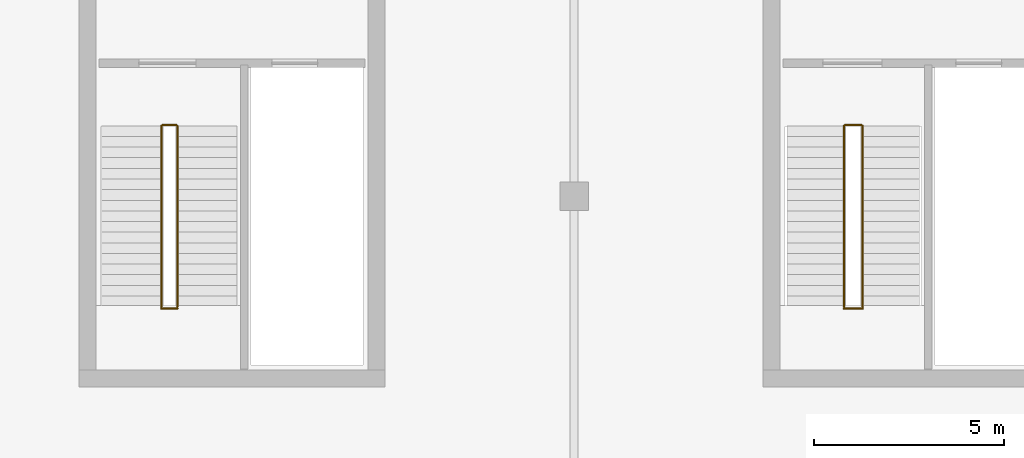
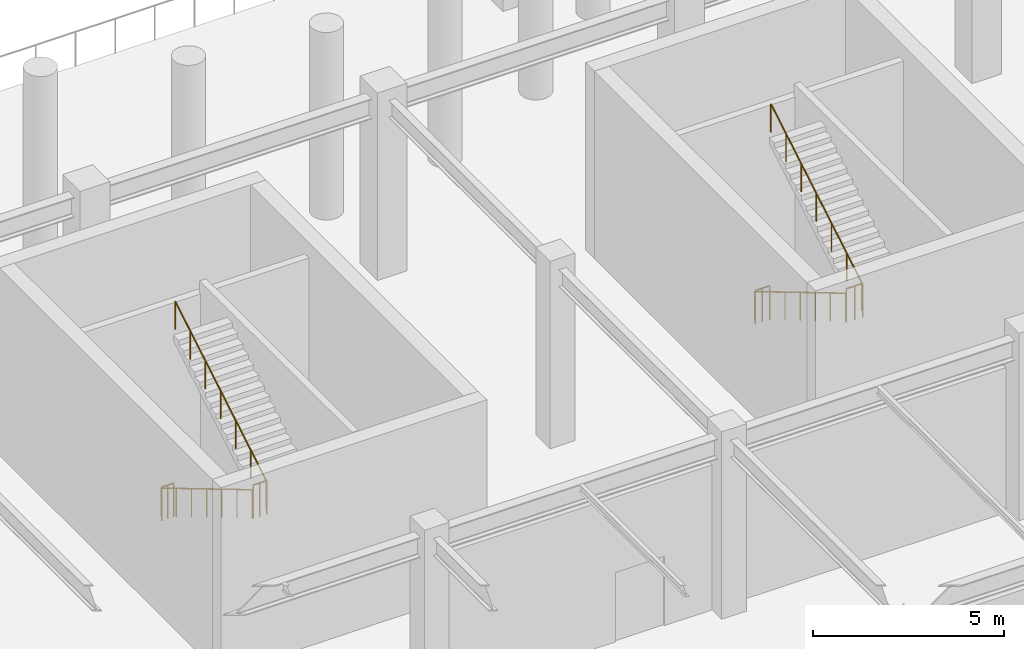
# One storey, part 203 of 223: 8 railings.
"""IFC4 building model written with IfcOpenShell, lengths in metres."""

from ifc_helpers import new_model, si_unit, direction, frame, origin, origin_2d, place, context, subcontext, project, spatial, circle, extrude, material, type_object, element, save


model = new_model("IFC4")

# Units and contexts
model_context = context("Model", 3, precision=1e-05, world=origin(), true_north=direction((0.0, 1.0)))
body_context = subcontext(model_context, "Body", "Model", "MODEL_VIEW")
ifc_project = project(units=[si_unit("LENGTHUNIT", "METRE"), si_unit("AREAUNIT", "SQUARE_METRE"), si_unit("VOLUMEUNIT", "CUBIC_METRE"), si_unit("PLANEANGLEUNIT", "RADIAN"), si_unit("MASSUNIT", "GRAM", prefix="KILO")], contexts=[model_context])

# Site, building, storey
site_placement = place(None, origin())
site = spatial("IfcSite", under=ifc_project, at=site_placement, CompositionType="ELEMENT")
building_placement = place(site_placement, origin())
building = spatial("IfcBuilding", under=site, at=building_placement, Name="Dornveld Trade and Exhibition Forum", CompositionType="ELEMENT")
storey_placement = place(building_placement, frame((0.0, 0.0, 6.0)))
storey = spatial("IfcBuildingStorey", under=building, at=storey_placement, Name="L01", CompositionType="ELEMENT", Elevation=6.0)

# Railings
ifc_material_1 = material(Name="Brushed stainless steel handrail", Category="steel")
railing_type_1 = type_object("IfcRailingType", Name="RL-HAND-920", PredefinedType="HANDRAIL", material=ifc_material_1)
railing_1_placement = place(storey_placement, frame((106.139892578125, 55.85009765625, 0.166748046875)))
element("IfcRailing", 1, at=railing_1_placement, inside=storey, type_object=railing_type_1, Name="ST-06-L01 flight 1 handrail", PredefinedType="HANDRAIL", context=body_context, shape_type="SweptSolid", body=[
    extrude(circle(Radius=0.02099609375, at=origin_2d()), frame((0.0, 0.0, 0.89892578125), z_axis=(0.0, -0.859299802514, 0.511472237174), x_axis=(1.0, 0.0, 0.0)), (0.0, 0.0, 1.0), 5.539306640625),
    extrude(circle(Radius=0.01806640625, at=origin_2d()), origin(), (0.0, 0.0, 1.0), 0.8779296875),
    extrude(circle(Radius=0.01806640625, at=origin_2d()), frame((0.0, -0.79345703125, 0.47216796875)), (0.0, 0.0, 1.0), 0.8779296875),
    extrude(circle(Radius=0.01806640625, at=origin_2d()), frame((0.0, -1.586669921875, 0.9443359375)), (0.0, 0.0, 1.0), 0.8779296875),
    extrude(circle(Radius=0.01806640625, at=origin_2d()), frame((0.0, -2.3798828125, 1.41650390625)), (0.0, 0.0, 1.0), 0.8779296875),
    extrude(circle(Radius=0.01806640625, at=origin_2d()), frame((0.0, -3.17333984375, 1.888916015625)), (0.0, 0.0, 1.0), 0.8779296875),
    extrude(circle(Radius=0.01806640625, at=origin_2d()), frame((0.0, -3.966796875, 2.361083984375)), (0.0, 0.0, 1.0), 0.8779296875),
    extrude(circle(Radius=0.01806640625, at=origin_2d()), frame((0.0, -4.760009765625, 2.833251953125)), (0.0, 0.0, 1.0), 0.8779296875),
])
railing_2_placement = place(storey_placement, frame((106.56005859375, 51.090087890625, 3.166748046875)))
element("IfcRailing", 2, at=railing_2_placement, inside=storey, type_object=railing_type_1, Name="ST-06-L01 flight 2 handrail", PredefinedType="HANDRAIL", context=body_context, shape_type="SweptSolid", body=[
    extrude(circle(Radius=0.02099609375, at=origin_2d()), frame((0.0, 0.0, 0.89892578125), z_axis=(0.0, 0.859299802514, 0.511472237174), x_axis=(-1.0, 0.0, 0.0)), (0.0, 0.0, 1.0), 5.539306640625),
    extrude(circle(Radius=0.01806640625, at=origin_2d()), origin(), (0.0, 0.0, 1.0), 0.8779296875),
    extrude(circle(Radius=0.01806640625, at=origin_2d()), frame((0.0, 0.79345703125, 0.47216796875)), (0.0, 0.0, 1.0), 0.8779296875),
    extrude(circle(Radius=0.01806640625, at=origin_2d()), frame((0.0, 1.586669921875, 0.9443359375)), (0.0, 0.0, 1.0), 0.8779296875),
    extrude(circle(Radius=0.01806640625, at=origin_2d()), frame((0.0, 2.3798828125, 1.41650390625)), (0.0, 0.0, 1.0), 0.8779296875),
    extrude(circle(Radius=0.01806640625, at=origin_2d()), frame((0.0, 3.17333984375, 1.888916015625)), (0.0, 0.0, 1.0), 0.8779296875),
    extrude(circle(Radius=0.01806640625, at=origin_2d()), frame((0.0, 3.966796875, 2.361083984375)), (0.0, 0.0, 1.0), 0.8779296875),
    extrude(circle(Radius=0.01806640625, at=origin_2d()), frame((0.0, 4.760009765625, 2.833251953125)), (0.0, 0.0, 1.0), 0.8779296875),
])
railing_3_placement = place(storey_placement, frame((124.10498046875, 55.85009765625, 0.166748046875)))
element("IfcRailing", 3, at=railing_3_placement, inside=storey, type_object=railing_type_1, Name="ST-07-L01 flight 1 handrail", PredefinedType="HANDRAIL", context=body_context, shape_type="SweptSolid", body=[
    extrude(circle(Radius=0.02099609375, at=origin_2d()), frame((0.0, 0.0, 0.89892578125), z_axis=(0.0, -0.859299802514, 0.511472237174), x_axis=(1.0, 0.0, 0.0)), (0.0, 0.0, 1.0), 5.539306640625),
    extrude(circle(Radius=0.01806640625, at=origin_2d()), origin(), (0.0, 0.0, 1.0), 0.8779296875),
    extrude(circle(Radius=0.01806640625, at=origin_2d()), frame((0.0, -0.79345703125, 0.47216796875)), (0.0, 0.0, 1.0), 0.8779296875),
    extrude(circle(Radius=0.01806640625, at=origin_2d()), frame((0.0, -1.586669921875, 0.9443359375)), (0.0, 0.0, 1.0), 0.8779296875),
    extrude(circle(Radius=0.01806640625, at=origin_2d()), frame((0.0, -2.3798828125, 1.41650390625)), (0.0, 0.0, 1.0), 0.8779296875),
    extrude(circle(Radius=0.01806640625, at=origin_2d()), frame((0.0, -3.17333984375, 1.888916015625)), (0.0, 0.0, 1.0), 0.8779296875),
    extrude(circle(Radius=0.01806640625, at=origin_2d()), frame((0.0, -3.966796875, 2.361083984375)), (0.0, 0.0, 1.0), 0.8779296875),
    extrude(circle(Radius=0.01806640625, at=origin_2d()), frame((0.0, -4.760009765625, 2.833251953125)), (0.0, 0.0, 1.0), 0.8779296875),
])
railing_4_placement = place(storey_placement, frame((124.594970703125, 51.090087890625, 3.166748046875)))
element("IfcRailing", 4, at=railing_4_placement, inside=storey, type_object=railing_type_1, Name="ST-07-L01 flight 2 handrail", PredefinedType="HANDRAIL", context=body_context, shape_type="SweptSolid", body=[
    extrude(circle(Radius=0.02099609375, at=origin_2d()), frame((0.0, 0.0, 0.89892578125), z_axis=(0.0, 0.859299802514, 0.511472237174), x_axis=(-1.0, 0.0, 0.0)), (0.0, 0.0, 1.0), 5.539306640625),
    extrude(circle(Radius=0.01806640625, at=origin_2d()), origin(), (0.0, 0.0, 1.0), 0.8779296875),
    extrude(circle(Radius=0.01806640625, at=origin_2d()), frame((0.0, 0.79345703125, 0.47216796875)), (0.0, 0.0, 1.0), 0.8779296875),
    extrude(circle(Radius=0.01806640625, at=origin_2d()), frame((0.0, 1.586669921875, 0.9443359375)), (0.0, 0.0, 1.0), 0.8779296875),
    extrude(circle(Radius=0.01806640625, at=origin_2d()), frame((0.0, 2.3798828125, 1.41650390625)), (0.0, 0.0, 1.0), 0.8779296875),
    extrude(circle(Radius=0.01806640625, at=origin_2d()), frame((0.0, 3.17333984375, 1.888916015625)), (0.0, 0.0, 1.0), 0.8779296875),
    extrude(circle(Radius=0.01806640625, at=origin_2d()), frame((0.0, 3.966796875, 2.361083984375)), (0.0, 0.0, 1.0), 0.8779296875),
    extrude(circle(Radius=0.01806640625, at=origin_2d()), frame((0.0, 4.760009765625, 2.833251953125)), (0.0, 0.0, 1.0), 0.8779296875),
])
ifc_material_2 = material(Name="Painted steel S355J2 stair-well guard", Category="steel")
railing_type_2 = type_object("IfcRailingType", Name="RL-WELL-110", PredefinedType="GUARDRAIL", material=ifc_material_2)
railing_5_placement = place(storey_placement, frame((106.139892578125, 51.0400390625, 3.0)))
element("IfcRailing", 5, at=railing_5_placement, inside=storey, type_object=railing_type_2, Name="ST-06-L01 half-landing well guard", PredefinedType="GUARDRAIL", context=body_context, shape_type="SweptSolid", body=[
    extrude(circle(Radius=0.02392578125, at=origin_2d()), frame((0.0, 0.0, 1.076171875), z_axis=(1.0, 0.0, 0.0), x_axis=(0.0, 1.0, 0.0)), (0.0, 0.0, 1.0), 0.420166015625),
    extrude(circle(Radius=0.02001953125, at=origin_2d()), origin(), (0.0, 0.0, 1.0), 1.052001953125),
    extrude(circle(Radius=0.02001953125, at=origin_2d()), frame((0.2099609375, 0.0, 0.0)), (0.0, 0.0, 1.0), 1.052001953125),
    extrude(circle(Radius=0.02001953125, at=origin_2d()), frame((0.420166015625, 0.0, 0.0)), (0.0, 0.0, 1.0), 1.052001953125),
])
railing_6_placement = place(storey_placement, frame((106.169921875, 55.8701171875, 0.0)))
element("IfcRailing", 6, at=railing_6_placement, inside=storey, type_object=railing_type_2, Name="CORE-06 L01 stair-slot floor guard", PredefinedType="GUARDRAIL", context=body_context, shape_type="SweptSolid", body=[
    extrude(circle(Radius=0.02392578125, at=origin_2d()), frame((0.0, 0.0, 1.076171875), z_axis=(1.0, 0.0, 0.0), x_axis=(0.0, 1.0, 0.0)), (0.0, 0.0, 1.0), 0.360107421875),
    extrude(circle(Radius=0.02001953125, at=origin_2d()), origin(), (0.0, 0.0, 1.0), 1.052001953125),
    extrude(circle(Radius=0.02001953125, at=origin_2d()), frame((0.18017578125, 0.0, 0.0)), (0.0, 0.0, 1.0), 1.052001953125),
    extrude(circle(Radius=0.02001953125, at=origin_2d()), frame((0.360107421875, 0.0, 0.0)), (0.0, 0.0, 1.0), 1.052001953125),
])
railing_7_placement = place(storey_placement, frame((124.10498046875, 51.0400390625, 3.0)))
element("IfcRailing", 7, at=railing_7_placement, inside=storey, type_object=railing_type_2, Name="ST-07-L01 half-landing well guard", PredefinedType="GUARDRAIL", context=body_context, shape_type="SweptSolid", body=[
    extrude(circle(Radius=0.02392578125, at=origin_2d()), frame((0.0, 0.0, 1.076171875), z_axis=(1.0, 0.0, 0.0), x_axis=(0.0, 1.0, 0.0)), (0.0, 0.0, 1.0), 0.489990234375),
    extrude(circle(Radius=0.02001953125, at=origin_2d()), origin(), (0.0, 0.0, 1.0), 1.052001953125),
    extrude(circle(Radius=0.02001953125, at=origin_2d()), frame((0.2451171875, 0.0, 0.0)), (0.0, 0.0, 1.0), 1.052001953125),
    extrude(circle(Radius=0.02001953125, at=origin_2d()), frame((0.489990234375, 0.0, 0.0)), (0.0, 0.0, 1.0), 1.052001953125),
])
railing_8_placement = place(storey_placement, frame((124.135009765625, 55.8701171875, 0.0)))
element("IfcRailing", 8, at=railing_8_placement, inside=storey, type_object=railing_type_2, Name="CORE-07 L01 stair-slot floor guard", PredefinedType="GUARDRAIL", context=body_context, shape_type="SweptSolid", body=[
    extrude(circle(Radius=0.02392578125, at=origin_2d()), frame((0.0, 0.0, 1.076171875), z_axis=(1.0, 0.0, 0.0), x_axis=(0.0, 1.0, 0.0)), (0.0, 0.0, 1.0), 0.429931640625),
    extrude(circle(Radius=0.02001953125, at=origin_2d()), origin(), (0.0, 0.0, 1.0), 1.052001953125),
    extrude(circle(Radius=0.02001953125, at=origin_2d()), frame((0.21484375, 0.0, 0.0)), (0.0, 0.0, 1.0), 1.052001953125),
    extrude(circle(Radius=0.02001953125, at=origin_2d()), frame((0.429931640625, 0.0, 0.0)), (0.0, 0.0, 1.0), 1.052001953125),
])

save(model, "model.ifc")
